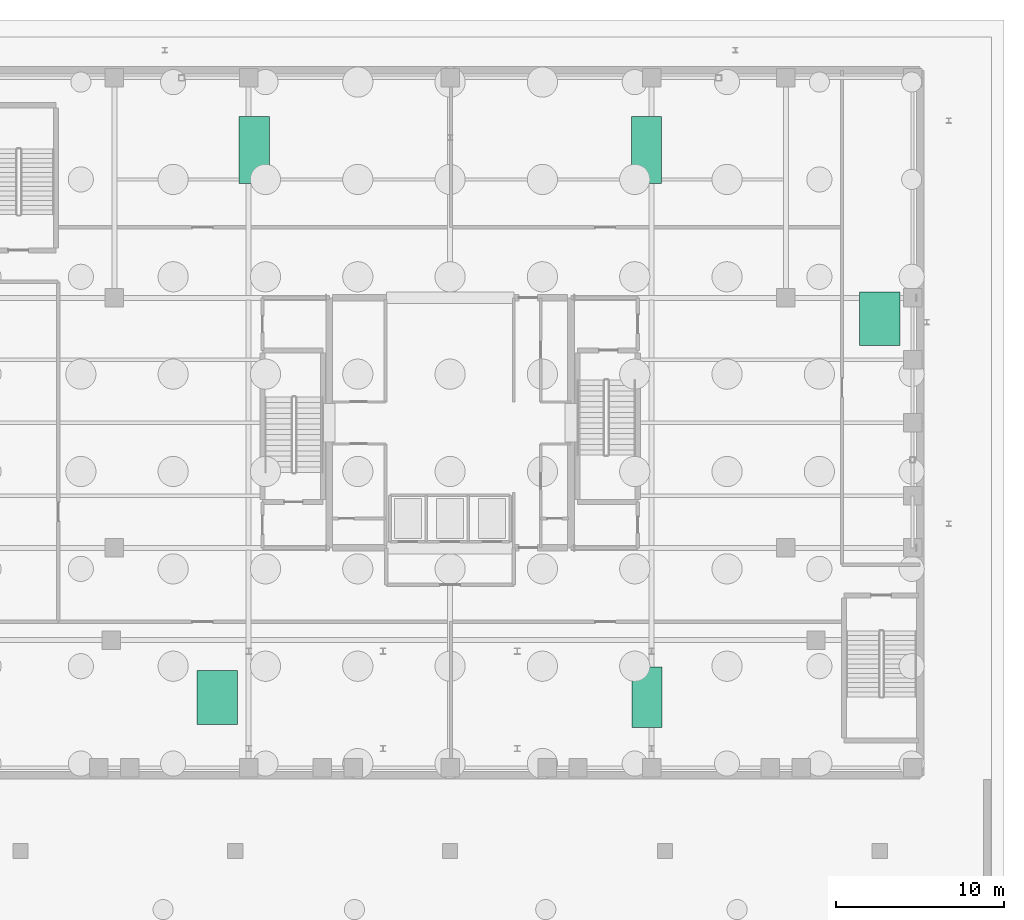
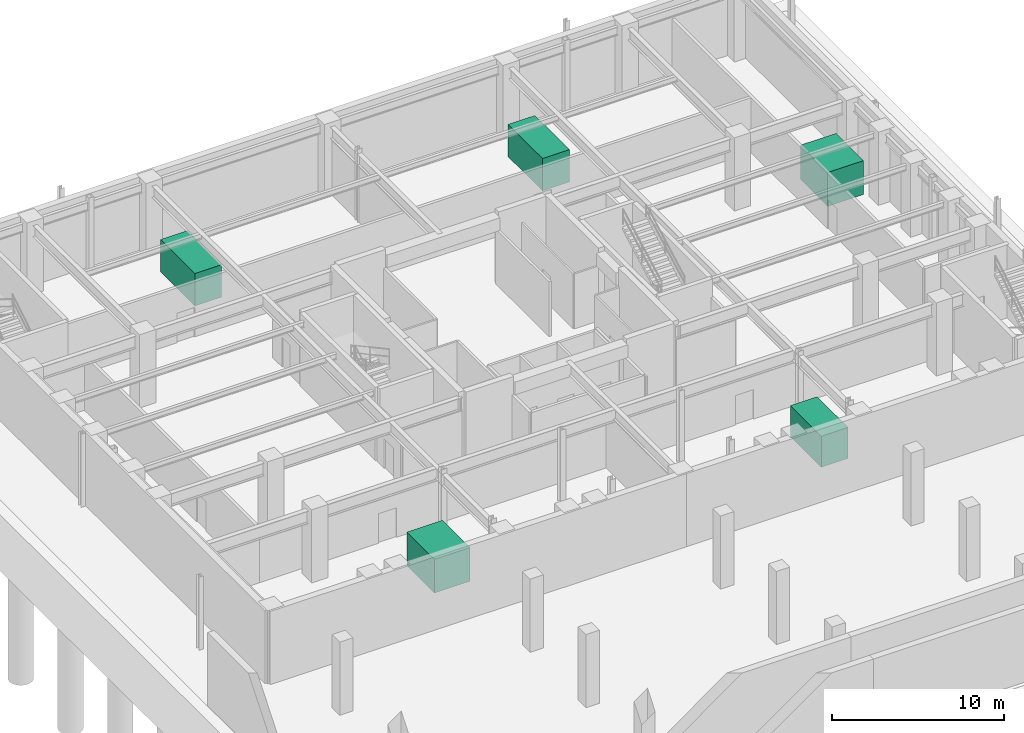
# One storey, part 17 of 18: 2 electric generators, 2 tanks, 1 chiller.
"""IFC4 building model written with IfcOpenShell, lengths in metres."""

from ifc_helpers import new_model, si_unit, direction, frame, origin, origin_2d, place, context, subcontext, project, spatial, rectangle, extrude, material, type_object, element, save


model = new_model("IFC4")

# Units and contexts
model_context = context("Model", 3, precision=1e-05, world=origin(), true_north=direction((0.0, 1.0)))
body_context = subcontext(model_context, "Body", "Model", "MODEL_VIEW")
ifc_project = project(units=[si_unit("LENGTHUNIT", "METRE"), si_unit("AREAUNIT", "SQUARE_METRE"), si_unit("VOLUMEUNIT", "CUBIC_METRE"), si_unit("PLANEANGLEUNIT", "RADIAN"), si_unit("MASSUNIT", "GRAM", prefix="KILO")], contexts=[model_context])

# Site, building, storey
site_placement = place(None, origin())
site = spatial("IfcSite", under=ifc_project, at=site_placement, CompositionType="ELEMENT")
building_placement = place(site_placement, origin())
building = spatial("IfcBuilding", under=site, at=building_placement, Name="Veldorina Hangang Commons", CompositionType="ELEMENT")
storey_placement = place(building_placement, frame((0.0, 0.0, -10.39990234375)))
storey = spatial("IfcBuildingStorey", under=building, at=storey_placement, Name="B02", CompositionType="ELEMENT", Elevation=-10.39990234375)

# Chiller
ifc_material_1 = material(Name="Steel Powder-Coated Enclosure", Category="steel")
chiller_type = type_object("IfcChillerType", Name="EQ-CHILLER-1", PredefinedType="AIRCOOLED", material=ifc_material_1)
chiller_placement = place(storey_placement, frame((43.72509765625, 7.639892578125, 0.0), z_axis=(0.0, 0.0, 1.0), x_axis=(1.0, 0.0, 0.0)))
element("IfcChiller", 1, at=chiller_placement, inside=storey, type_object=chiller_type, Name="B02 Geothermal Heat Pump Plant Room equipment 004", PredefinedType="AIRCOOLED", context=body_context, shape_type="SweptSolid", body=[
    extrude(rectangle(XDim=1.800048828125, YDim=3.60009765625, at=origin_2d()), origin(), (0.0, 0.0, 1.0), 2.199951171875),
])

# Electric generators
ifc_material_2 = material(Name="Steel Acoustic Generator Canopy", Category="steel")
electric_generator_type = type_object("IfcElectricGeneratorType", Name="EQ-GEN-1", PredefinedType="ENGINEGENERATOR", material=ifc_material_2)
for number, where, z_axis, x_axis, name in (
    (2, (20.324951171875, 40.260009765625, 0.0), (0.0, 0.0, 1.0), (1.0, 0.0, 0.0), "B02 Substation and Transformer Plant Room equipment 001"),
    (3, (43.699951171875, 40.260009765625, 0.0), (0.0, 0.0, 1.0), (1.0, 0.0, 0.0), "B02 Emergency Generator Hall equipment 002"),
):
    element("IfcElectricGenerator", number, at=place(storey_placement, frame(where, z_axis=z_axis, x_axis=x_axis)), inside=storey, type_object=electric_generator_type, Name=name, PredefinedType="ENGINEGENERATOR", context=body_context, shape_type="SweptSolid", body=[
        extrude(rectangle(XDim=1.800048828125, YDim=4.0, at=origin_2d()), origin(), (0.0, 0.0, 1.0), 2.300048828125),
    ])

# Tanks
ifc_material_3 = material(Name="Stainless Steel Panel Tank 316L", Category="steel")
tank_type = type_object("IfcTankType", Name="EQ-TANK-1", PredefinedType="STORAGE", material=ifc_material_3)
for number, where, z_axis, x_axis, name in (
    (4, (18.125, 7.639892578125, 0.0), (0.0, 0.0, 1.0), (1.0, 0.0, 0.0), "B02 Domestic and Fire Water Tank Room equipment 003"),
    (5, (57.60009765625, 30.199951171875, 0.0), (0.0, 0.0, 1.0), (1.0, 0.0, 0.0), "B02 Sprinkler Pump and Valve Room equipment 005"),
):
    element("IfcTank", number, at=place(storey_placement, frame(where, z_axis=z_axis, x_axis=x_axis)), inside=storey, type_object=tank_type, Name=name, PredefinedType="STORAGE", context=body_context, shape_type="SweptSolid", body=[
        extrude(rectangle(XDim=2.39990234375, YDim=3.199951171875, at=origin_2d()), origin(), (0.0, 0.0, 1.0), 2.39990234375),
    ])

save(model, "model.ifc")
